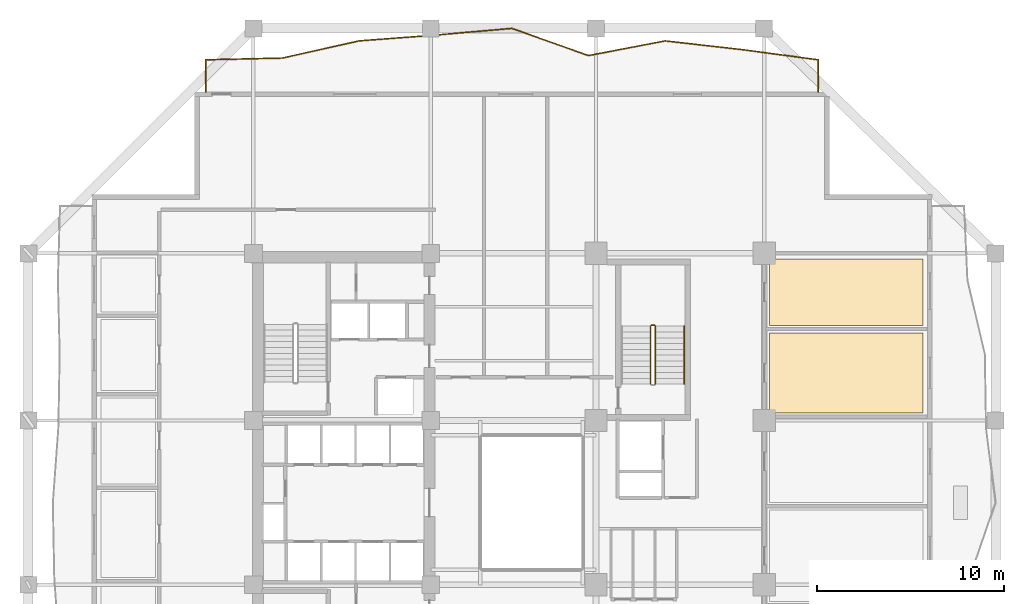
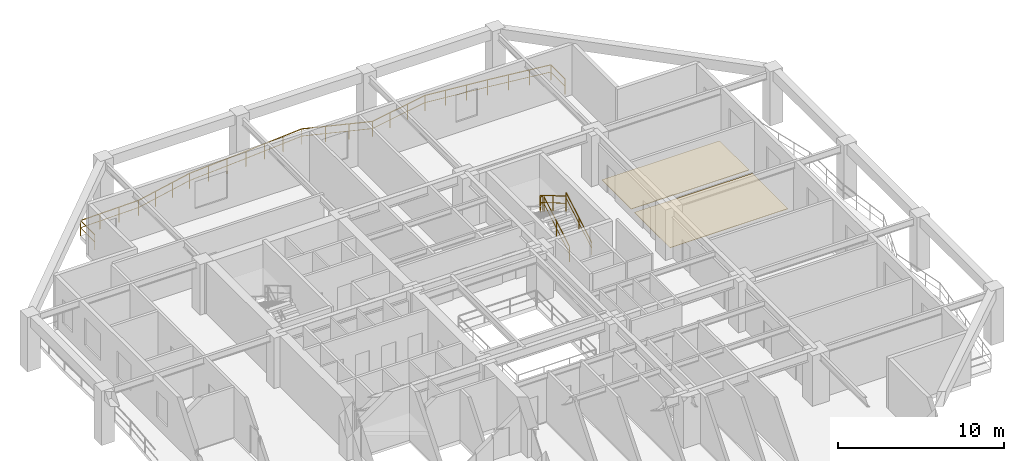
# One storey, part 13 of 14: 5 railings, 2 coverings.
"""IFC4 building model written with IfcOpenShell, lengths in metres."""

from ifc_helpers import new_model, si_unit, direction, frame, origin, origin_2d, place, context, subcontext, project, spatial, polyline, rectangle, outline, extrude, material, layer, layer_set, type_object, element, save


model = new_model("IFC4")

# Units and contexts
model_context = context("Model", 3, precision=1e-05, world=origin(), true_north=direction((0.0, 1.0)))
body_context = subcontext(model_context, "Body", "Model", "MODEL_VIEW")
ifc_project = project(units=[si_unit("LENGTHUNIT", "METRE"), si_unit("AREAUNIT", "SQUARE_METRE"), si_unit("VOLUMEUNIT", "CUBIC_METRE"), si_unit("PLANEANGLEUNIT", "RADIAN"), si_unit("MASSUNIT", "GRAM", prefix="KILO")], contexts=[model_context])

# Site, building, storey
site_placement = place(None, origin())
site = spatial("IfcSite", under=ifc_project, at=site_placement, CompositionType="ELEMENT")
building_placement = place(site_placement, origin())
building = spatial("IfcBuilding", under=site, at=building_placement, Name="Kundavana Baori Tower", CompositionType="ELEMENT")
storey_placement = place(building_placement, frame((0.0, 0.0, 74.0)))
storey = spatial("IfcBuildingStorey", under=building, at=storey_placement, Name="L17", CompositionType="ELEMENT", Elevation=74.0)

# Coverings
ifc_material_1 = material(Name="Honed Kota Stone and Terrazzo Flooring", Category="masonry")
ifc_layer = layer(ifc_material_1, 0.030029296875, Name="COV-INT-FLR")
ifc_layer_set = layer_set([ifc_layer], Name="Honed Kota Stone and Terrazzo Flooring")
covering_type = type_object("IfcCoveringType", Name="COV-INT-FLR", PredefinedType="FLOORING", material=ifc_layer_set)
covering_1_placement = place(storey_placement, origin())
element("IfcCovering", 1, at=covering_1_placement, inside=storey, type_object=covering_type, Name="L17 Room Finished Stone Flooring 17", PredefinedType="FLOORING", context=body_context, shape_type="SweptSolid", body=[
    extrude(outline(polyline([(43.10009765625, 33.39990234375), (51.320068359375, 33.39990234375), (51.320068359375, 37.699951171875), (43.10009765625, 37.699951171875), (43.10009765625, 33.39990234375)])), origin(), (0.0, 0.0, 1.0), 0.030029296875),
])
covering_2_placement = place(storey_placement, origin())
element("IfcCovering", 2, at=covering_2_placement, inside=storey, type_object=covering_type, Name="L17 Room Finished Stone Flooring 18", PredefinedType="FLOORING", context=body_context, shape_type="SweptSolid", body=[
    extrude(outline(polyline([(43.10009765625, 38.10009765625), (51.320068359375, 38.10009765625), (51.320068359375, 41.64990234375), (43.10009765625, 41.64990234375), (43.10009765625, 38.10009765625)])), origin(), (0.0, 0.0, 1.0), 0.030029296875),
])

# Railings
ifc_material_2 = material(Name="Architectural Patinated Bronze Metalwork")
railing_type_1 = type_object("IfcRailingType", Name="RL-BAL-1150", PredefinedType="BALUSTRADE", material=ifc_material_2)
railing_1_placement = place(storey_placement, frame((12.89990234375, 50.60009765625, 0.0)))
element("IfcRailing", 3, at=railing_1_placement, inside=storey, type_object=railing_type_1, Name="L17 Loggia Balcony Balustrade N", PredefinedType="BALUSTRADE", context=body_context, shape_type="SweptSolid", body=[
    extrude(rectangle(XDim=0.048095703125, YDim=0.048095703125, at=origin_2d()), frame((0.0, 0.0, 1.1259765625), z_axis=(0.0, 1.0, 0.0), x_axis=(-1.0, 0.0, 0.0)), (0.0, 0.0, 1.0), 1.719970703125),
    extrude(rectangle(XDim=0.03125, YDim=0.03125, at=origin_2d()), frame((0.0, 0.0, 0.597900390625), z_axis=(0.0, 1.0, 0.0), x_axis=(-1.0, 0.0, 0.0)), (0.0, 0.0, 1.0), 1.719970703125),
    extrude(rectangle(XDim=0.048095703125, YDim=0.048095703125, at=origin_2d()), frame((0.0, 1.719970703125, 1.1259765625), z_axis=(0.999737329062, 0.022918832422, 0.0), x_axis=(-0.022918832422, 0.999737329062, 0.0)), (0.0, 0.0, 1.0), 4.10107421875),
    extrude(rectangle(XDim=0.03125, YDim=0.03125, at=origin_2d()), frame((0.0, 1.719970703125, 0.597900390625), z_axis=(0.999737329062, 0.022918832422, 0.0), x_axis=(-0.022918832422, 0.999737329062, 0.0)), (0.0, 0.0, 1.0), 4.10107421875),
    extrude(rectangle(XDim=0.048095703125, YDim=0.048095703125, at=origin_2d()), frame((4.10009765625, 1.81396484375, 1.1259765625), z_axis=(0.975742093402, 0.218923199234, 0.0), x_axis=(-0.218923199234, 0.975742093402, 0.0)), (0.0, 0.0, 1.0), 4.2021484375),
    extrude(rectangle(XDim=0.03125, YDim=0.03125, at=origin_2d()), frame((4.10009765625, 1.81396484375, 0.597900390625), z_axis=(0.975742093402, 0.218923199234, 0.0), x_axis=(-0.218923199234, 0.975742093402, 0.0)), (0.0, 0.0, 1.0), 4.2021484375),
    extrude(rectangle(XDim=0.048095703125, YDim=0.048095703125, at=origin_2d()), frame((8.2001953125, 2.73388671875, 1.1259765625), z_axis=(0.997134617999, 0.075647561682, 0.0), x_axis=(-0.075647561682, 0.997134617999, 0.0)), (0.0, 0.0, 1.0), 4.111572265625),
    extrude(rectangle(XDim=0.03125, YDim=0.03125, at=origin_2d()), frame((8.2001953125, 2.73388671875, 0.597900390625), z_axis=(0.997134617999, 0.075647561682, 0.0), x_axis=(-0.075647561682, 0.997134617999, 0.0)), (0.0, 0.0, 1.0), 4.111572265625),
    extrude(rectangle(XDim=0.048095703125, YDim=0.048095703125, at=origin_2d()), frame((12.300048828125, 3.044921875, 1.1259765625), z_axis=(0.996273017827, 0.08625586328, 0.0), x_axis=(-0.08625586328, 0.996273017827, 0.0)), (0.0, 0.0, 1.0), 4.115478515625),
    extrude(rectangle(XDim=0.03125, YDim=0.03125, at=origin_2d()), frame((12.300048828125, 3.044921875, 0.597900390625), z_axis=(0.996273017827, 0.08625586328, 0.0), x_axis=(-0.08625586328, 0.996273017827, 0.0)), (0.0, 0.0, 1.0), 4.115478515625),
    extrude(rectangle(XDim=0.048095703125, YDim=0.048095703125, at=origin_2d()), frame((16.400146484375, 3.39990234375, 1.1259765625), z_axis=(0.942565755745, -0.334020652202, 0.0), x_axis=(0.334020652202, 0.942565755745, 0.0)), (0.0, 0.0, 1.0), 4.349609375),
    extrude(rectangle(XDim=0.03125, YDim=0.03125, at=origin_2d()), frame((16.400146484375, 3.39990234375, 0.597900390625), z_axis=(0.942565755745, -0.334020652202, 0.0), x_axis=(0.334020652202, 0.942565755745, 0.0)), (0.0, 0.0, 1.0), 4.349609375),
    extrude(rectangle(XDim=0.048095703125, YDim=0.048095703125, at=origin_2d()), frame((20.5, 1.947021484375, 1.1259765625), z_axis=(0.982078117928, 0.18847432262, 0.0), x_axis=(-0.18847432262, 0.982078117928, 0.0)), (0.0, 0.0, 1.0), 4.1748046875),
    extrude(rectangle(XDim=0.03125, YDim=0.03125, at=origin_2d()), frame((20.5, 1.947021484375, 0.597900390625), z_axis=(0.982078117928, 0.18847432262, 0.0), x_axis=(-0.18847432262, 0.982078117928, 0.0)), (0.0, 0.0, 1.0), 4.1748046875),
    extrude(rectangle(XDim=0.048095703125, YDim=0.048095703125, at=origin_2d()), frame((24.60009765625, 2.73388671875, 1.1259765625), z_axis=(0.993627863206, -0.112710556116, 0.0), x_axis=(0.112710556116, 0.993627863206, 0.0)), (0.0, 0.0, 1.0), 4.12646484375),
    extrude(rectangle(XDim=0.03125, YDim=0.03125, at=origin_2d()), frame((24.60009765625, 2.73388671875, 0.597900390625), z_axis=(0.993627863206, -0.112710556116, 0.0), x_axis=(0.112710556116, 0.993627863206, 0.0)), (0.0, 0.0, 1.0), 4.12646484375),
    extrude(rectangle(XDim=0.048095703125, YDim=0.048095703125, at=origin_2d()), frame((28.7001953125, 2.268798828125, 1.1259765625), z_axis=(0.991158691367, -0.132681756577, 0.0), x_axis=(0.132681756577, 0.991158691367, 0.0)), (0.0, 0.0, 1.0), 4.136474609375),
    extrude(rectangle(XDim=0.03125, YDim=0.03125, at=origin_2d()), frame((28.7001953125, 2.268798828125, 0.597900390625), z_axis=(0.991158691367, -0.132681756577, 0.0), x_axis=(0.132681756577, 0.991158691367, 0.0)), (0.0, 0.0, 1.0), 4.136474609375),
    extrude(rectangle(XDim=0.048095703125, YDim=0.048095703125, at=origin_2d()), frame((32.800048828125, 1.719970703125, 1.1259765625), z_axis=(0.0, -1.0, 0.0), x_axis=(1.0, 0.0, 0.0)), (0.0, 0.0, 1.0), 1.719970703125),
    extrude(rectangle(XDim=0.03125, YDim=0.03125, at=origin_2d()), frame((32.800048828125, 1.719970703125, 0.597900390625), z_axis=(0.0, -1.0, 0.0), x_axis=(1.0, 0.0, 0.0)), (0.0, 0.0, 1.0), 1.719970703125),
    extrude(rectangle(XDim=0.0419921875, YDim=0.0419921875, at=origin_2d()), origin(), (0.0, 0.0, 1.0), 1.101806640625),
    extrude(rectangle(XDim=0.0419921875, YDim=0.0419921875, at=origin_2d()), frame((0.0, 1.719970703125, 0.0)), (0.0, 0.0, 1.0), 1.101806640625),
    extrude(rectangle(XDim=0.0419921875, YDim=0.0419921875, at=origin_2d()), frame((1.36669921875, 1.751220703125, 0.0)), (0.0, 0.0, 1.0), 1.101806640625),
    extrude(rectangle(XDim=0.0419921875, YDim=0.0419921875, at=origin_2d()), frame((2.7333984375, 1.78271484375, 0.0)), (0.0, 0.0, 1.0), 1.101806640625),
    extrude(rectangle(XDim=0.0419921875, YDim=0.0419921875, at=origin_2d()), frame((4.10009765625, 1.81396484375, 0.0)), (0.0, 0.0, 1.0), 1.101806640625),
    extrude(rectangle(XDim=0.0419921875, YDim=0.0419921875, at=origin_2d()), frame((5.466796875, 2.12060546875, 0.0)), (0.0, 0.0, 1.0), 1.101806640625),
    extrude(rectangle(XDim=0.0419921875, YDim=0.0419921875, at=origin_2d()), frame((6.83349609375, 2.42724609375, 0.0)), (0.0, 0.0, 1.0), 1.101806640625),
    extrude(rectangle(XDim=0.0419921875, YDim=0.0419921875, at=origin_2d()), frame((8.2001953125, 2.73388671875, 0.0)), (0.0, 0.0, 1.0), 1.101806640625),
    extrude(rectangle(XDim=0.0419921875, YDim=0.0419921875, at=origin_2d()), frame((9.56689453125, 2.837646484375, 0.0)), (0.0, 0.0, 1.0), 1.101806640625),
    extrude(rectangle(XDim=0.0419921875, YDim=0.0419921875, at=origin_2d()), frame((10.933349609375, 2.941162109375, 0.0)), (0.0, 0.0, 1.0), 1.101806640625),
    extrude(rectangle(XDim=0.0419921875, YDim=0.0419921875, at=origin_2d()), frame((12.300048828125, 3.044921875, 0.0)), (0.0, 0.0, 1.0), 1.101806640625),
    extrude(rectangle(XDim=0.0419921875, YDim=0.0419921875, at=origin_2d()), frame((13.666748046875, 3.163330078125, 0.0)), (0.0, 0.0, 1.0), 1.101806640625),
    extrude(rectangle(XDim=0.0419921875, YDim=0.0419921875, at=origin_2d()), frame((15.033447265625, 3.281494140625, 0.0)), (0.0, 0.0, 1.0), 1.101806640625),
    extrude(rectangle(XDim=0.0419921875, YDim=0.0419921875, at=origin_2d()), frame((16.400146484375, 3.39990234375, 0.0)), (0.0, 0.0, 1.0), 1.101806640625),
    extrude(rectangle(XDim=0.0419921875, YDim=0.0419921875, at=origin_2d()), frame((17.766845703125, 2.91552734375, 0.0)), (0.0, 0.0, 1.0), 1.101806640625),
    extrude(rectangle(XDim=0.0419921875, YDim=0.0419921875, at=origin_2d()), frame((19.13330078125, 2.431396484375, 0.0)), (0.0, 0.0, 1.0), 1.101806640625),
    extrude(rectangle(XDim=0.0419921875, YDim=0.0419921875, at=origin_2d()), frame((20.5, 1.947021484375, 0.0)), (0.0, 0.0, 1.0), 1.101806640625),
    extrude(rectangle(XDim=0.0419921875, YDim=0.0419921875, at=origin_2d()), frame((21.86669921875, 2.209228515625, 0.0)), (0.0, 0.0, 1.0), 1.101806640625),
    extrude(rectangle(XDim=0.0419921875, YDim=0.0419921875, at=origin_2d()), frame((23.2333984375, 2.4716796875, 0.0)), (0.0, 0.0, 1.0), 1.101806640625),
    extrude(rectangle(XDim=0.0419921875, YDim=0.0419921875, at=origin_2d()), frame((24.60009765625, 2.73388671875, 0.0)), (0.0, 0.0, 1.0), 1.101806640625),
    extrude(rectangle(XDim=0.0419921875, YDim=0.0419921875, at=origin_2d()), frame((25.966796875, 2.578857421875, 0.0)), (0.0, 0.0, 1.0), 1.101806640625),
    extrude(rectangle(XDim=0.0419921875, YDim=0.0419921875, at=origin_2d()), frame((27.33349609375, 2.423828125, 0.0)), (0.0, 0.0, 1.0), 1.101806640625),
    extrude(rectangle(XDim=0.0419921875, YDim=0.0419921875, at=origin_2d()), frame((28.7001953125, 2.268798828125, 0.0)), (0.0, 0.0, 1.0), 1.101806640625),
    extrude(rectangle(XDim=0.0419921875, YDim=0.0419921875, at=origin_2d()), frame((30.06689453125, 2.0859375, 0.0)), (0.0, 0.0, 1.0), 1.101806640625),
    extrude(rectangle(XDim=0.0419921875, YDim=0.0419921875, at=origin_2d()), frame((31.433349609375, 1.90283203125, 0.0)), (0.0, 0.0, 1.0), 1.101806640625),
    extrude(rectangle(XDim=0.0419921875, YDim=0.0419921875, at=origin_2d()), frame((32.800048828125, 1.719970703125, 0.0)), (0.0, 0.0, 1.0), 1.101806640625),
    extrude(rectangle(XDim=0.0419921875, YDim=0.0419921875, at=origin_2d()), frame((32.800048828125, 0.0, 0.0)), (0.0, 0.0, 1.0), 1.101806640625),
])
ifc_material_3 = material(Name="Architectural Patinated Bronze Metalwork")
railing_type_2 = type_object("IfcRailingType", Name="RL-GRD-1150", PredefinedType="GUARDRAIL", material=ifc_material_3)
railing_2_placement = place(storey_placement, frame((36.97998046875, 34.949951171875, 0.181884765625)))
element("IfcRailing", 4, at=railing_2_placement, inside=storey, type_object=railing_type_2, Name="L17 ST3 stair guard 1", PredefinedType="GUARDRAIL", context=body_context, shape_type="SweptSolid", body=[
    extrude(rectangle(XDim=0.048095703125, YDim=0.048095703125, at=origin_2d()), frame((0.0, 0.0, 1.1259765625), z_axis=(0.0, 0.862598821094, 0.505888598258), x_axis=(-1.0, 0.0, 0.0)), (0.0, 0.0, 1.0), 3.593994140625),
    extrude(rectangle(XDim=0.03125, YDim=0.03125, at=origin_2d()), frame((0.0, 0.0, 0.597900390625), z_axis=(0.0, 0.862598821094, 0.505888598258), x_axis=(-1.0, 0.0, 0.0)), (0.0, 0.0, 1.0), 3.593994140625),
    extrude(rectangle(XDim=0.0419921875, YDim=0.0419921875, at=origin_2d()), origin(), (0.0, 0.0, 1.0), 1.101806640625),
    extrude(rectangle(XDim=0.0419921875, YDim=0.0419921875, at=origin_2d()), frame((0.0, 1.550048828125, 0.9091796875)), (0.0, 0.0, 1.0), 1.101806640625),
    extrude(rectangle(XDim=0.0419921875, YDim=0.0419921875, at=origin_2d()), frame((0.0, 3.10009765625, 1.818115234375)), (0.0, 0.0, 1.0), 1.101806640625),
])
railing_3_placement = place(storey_placement, frame((36.929931640625, 38.10009765625, 2.0)))
element("IfcRailing", 5, at=railing_3_placement, inside=storey, type_object=railing_type_2, Name="L17 ST3 stair guard 2", PredefinedType="GUARDRAIL", context=body_context, shape_type="SweptSolid", body=[
    extrude(rectangle(XDim=0.048095703125, YDim=0.048095703125, at=origin_2d()), frame((0.0, 0.0, 1.1259765625), z_axis=(-1.0, 0.0, 0.0), x_axis=(0.0, -1.0, 0.0)), (0.0, 0.0, 1.0), 0.159912109375),
    extrude(rectangle(XDim=0.03125, YDim=0.03125, at=origin_2d()), frame((0.0, 0.0, 0.597900390625), z_axis=(-1.0, 0.0, 0.0), x_axis=(0.0, -1.0, 0.0)), (0.0, 0.0, 1.0), 0.159912109375),
    extrude(rectangle(XDim=0.0419921875, YDim=0.0419921875, at=origin_2d()), origin(), (0.0, 0.0, 1.0), 1.101806640625),
    extrude(rectangle(XDim=0.0419921875, YDim=0.0419921875, at=origin_2d()), frame((-0.159912109375, 0.0, 0.0)), (0.0, 0.0, 1.0), 1.101806640625),
])
railing_4_placement = place(storey_placement, frame((36.719970703125, 38.050048828125, 2.181884765625)))
element("IfcRailing", 6, at=railing_4_placement, inside=storey, type_object=railing_type_2, Name="L17 ST3 stair guard 3", PredefinedType="GUARDRAIL", context=body_context, shape_type="SweptSolid", body=[
    extrude(rectangle(XDim=0.048095703125, YDim=0.048095703125, at=origin_2d()), frame((0.0, 0.0, 1.1259765625), z_axis=(0.0, -0.862598821094, 0.505888598258), x_axis=(1.0, 0.0, 0.0)), (0.0, 0.0, 1.0), 3.593994140625),
    extrude(rectangle(XDim=0.03125, YDim=0.03125, at=origin_2d()), frame((0.0, 0.0, 0.597900390625), z_axis=(0.0, -0.862598821094, 0.505888598258), x_axis=(1.0, 0.0, 0.0)), (0.0, 0.0, 1.0), 3.593994140625),
    extrude(rectangle(XDim=0.0419921875, YDim=0.0419921875, at=origin_2d()), origin(), (0.0, 0.0, 1.0), 1.101806640625),
    extrude(rectangle(XDim=0.0419921875, YDim=0.0419921875, at=origin_2d()), frame((0.0, -1.550048828125, 0.9091796875)), (0.0, 0.0, 1.0), 1.101806640625),
    extrude(rectangle(XDim=0.0419921875, YDim=0.0419921875, at=origin_2d()), frame((0.0, -3.10009765625, 1.818115234375)), (0.0, 0.0, 1.0), 1.101806640625),
])
ifc_material_4 = material(Name="Architectural Patinated Bronze Metalwork")
railing_type_3 = type_object("IfcRailingType", Name="RL-HND-920", PredefinedType="HANDRAIL", material=ifc_material_4)
railing_5_placement = place(storey_placement, frame((38.530029296875, 34.949951171875, 0.181884765625)))
element("IfcRailing", 7, at=railing_5_placement, inside=storey, type_object=railing_type_3, Name="L17 ST3 stair handrail 1", PredefinedType="HANDRAIL", context=body_context, shape_type="SweptSolid", body=[
    extrude(rectangle(XDim=0.048095703125, YDim=0.048095703125, at=origin_2d()), frame((0.0, 0.0, 0.8759765625), z_axis=(0.0, 0.862598821094, 0.505888598258), x_axis=(-1.0, 0.0, 0.0)), (0.0, 0.0, 1.0), 3.593994140625),
    extrude(rectangle(XDim=0.03125, YDim=0.03125, at=origin_2d()), frame((0.0, 0.0, 0.468017578125), z_axis=(0.0, 0.862598821094, 0.505888598258), x_axis=(-1.0, 0.0, 0.0)), (0.0, 0.0, 1.0), 3.593994140625),
    extrude(rectangle(XDim=0.0419921875, YDim=0.0419921875, at=origin_2d()), origin(), (0.0, 0.0, 1.0), 0.851806640625),
    extrude(rectangle(XDim=0.0419921875, YDim=0.0419921875, at=origin_2d()), frame((0.0, 1.550048828125, 0.9091796875)), (0.0, 0.0, 1.0), 0.851806640625),
    extrude(rectangle(XDim=0.0419921875, YDim=0.0419921875, at=origin_2d()), frame((0.0, 3.10009765625, 1.818115234375)), (0.0, 0.0, 1.0), 0.851806640625),
])

save(model, "model.ifc")
